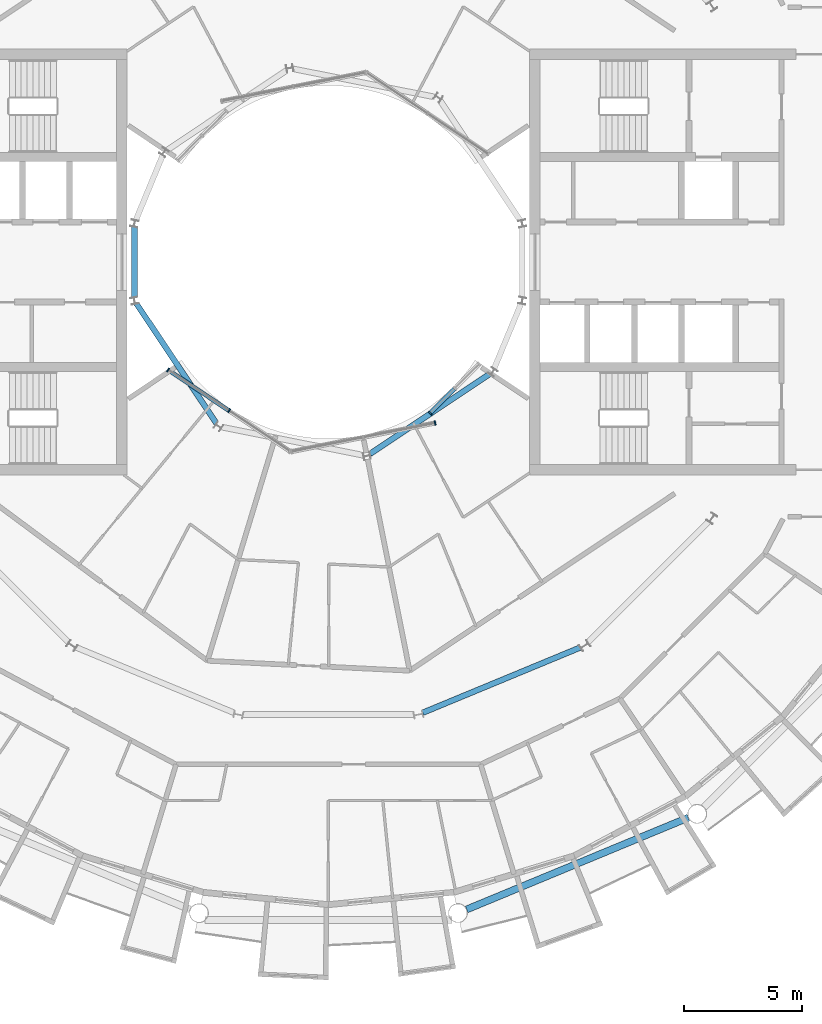
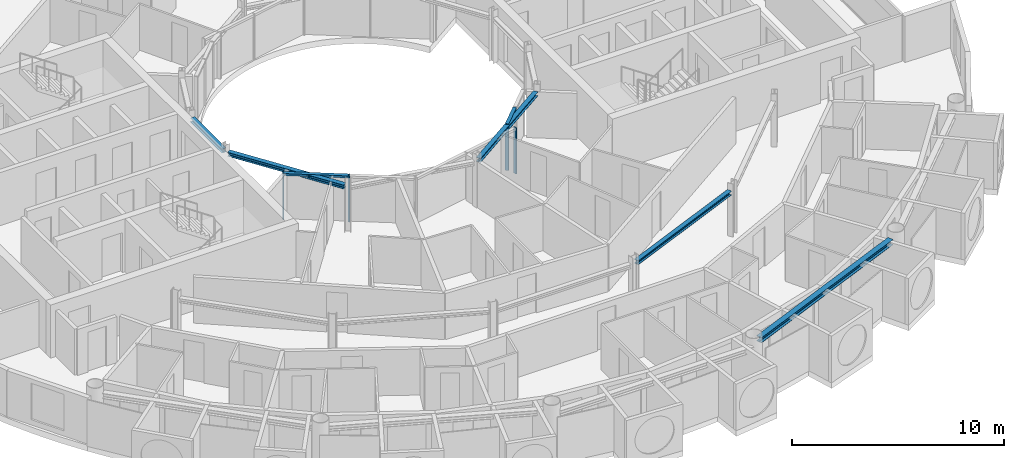
# One storey, part 7 of 28: 6 members, 5 beams, 3 elements without a shape of their own.
"""IFC4 building model written with IfcOpenShell, lengths in metres."""

import ifcopenshell
import ifcopenshell.guid

model = None  # the IFC model being written
_history = None  # IfcOwnerHistory: only IFC2X3 demands one
_inside = {}  # id of a spatial element -> (the spatial element, [elements in it])
_under = {}  # id of a project, library or spatial element -> (it, [spatial elements below it])
_declared = {}  # id of a project -> (the project, [libraries it declares])
_typed = {}  # id of a type object -> (the type object, [elements of that type])
_made_of = {}  # id of a material, layer set ... -> (it, [elements and type objects made of it])


def new_model(schema):
    """Start an empty IFC model of exactly this schema.

    Asked for "IFC4X3", IfcOpenShell would pick the latest addendum, in which some entities
    have other attributes; the version numbers below select the first issue.
    IFC2X3 requires an IfcOwnerHistory on every rooted entity: one is made here for all.
    """
    global model, _history
    if schema == "IFC4X3":
        model = ifcopenshell.file(schema_version=(4, 3, 0, 0))
    else:
        model = ifcopenshell.file(schema=schema)
    _inside.clear()
    _under.clear()
    _declared.clear()
    _typed.clear()
    _made_of.clear()
    _history = None
    if model.schema == "IFC2X3":
        org = make("IfcOrganization", Name="unknown")
        user = make(
            "IfcPersonAndOrganization",
            ThePerson=make("IfcPerson", FamilyName="unknown"),
            TheOrganization=org,
        )
        app = make(
            "IfcApplication",
            ApplicationDeveloper=org,
            Version="unknown",
            ApplicationFullName="unknown",
            ApplicationIdentifier="unknown",
        )
        _history = make(
            "IfcOwnerHistory",
            OwningUser=user,
            OwningApplication=app,
            ChangeAction="ADDED",
            CreationDate=0,
        )
    return model


def make(cls, **values):
    """One entity of the class cls with the attributes given. An attribute that is None is left unset."""
    return model.create_entity(
        cls, **{name: value for name, value in values.items() if value is not None}
    )


def rooted(cls, **values):
    """An entity with a GlobalId (a new one), such as an element, a storey or a relation."""
    return make(cls, GlobalId=ifcopenshell.guid.new(), OwnerHistory=_history, **values)


def si_unit(unit_type, name, prefix=None):
    """IfcSIUnit, for example si_unit("LENGTHUNIT", "METRE", prefix="MILLI")."""
    return make("IfcSIUnit", UnitType=unit_type, Prefix=prefix, Name=name)


def assignment(units):
    """IfcUnitAssignment: the units of a project."""
    return None if units is None else make("IfcUnitAssignment", Units=units)


def point(xyz):
    """IfcCartesianPoint."""
    return None if xyz is None else make("IfcCartesianPoint", Coordinates=xyz)


def direction(xyz):
    """IfcDirection."""
    return None if xyz is None else make("IfcDirection", DirectionRatios=xyz)


def frame(location, z_axis=None, x_axis=None):
    """IfcAxis2Placement3D, a coordinate frame: its origin and axes. An axis left out is left unset."""
    return make(
        "IfcAxis2Placement3D",
        Location=point(location),
        Axis=direction(z_axis),
        RefDirection=direction(x_axis),
    )


def frame_2d(location, x_axis=None):
    """IfcAxis2Placement2D, a coordinate frame in the plane: its origin and x axis."""
    return make(
        "IfcAxis2Placement2D", Location=point(location), RefDirection=direction(x_axis)
    )


def origin():
    """The frame at (0, 0, 0) with its axes left unset."""
    return frame((0.0, 0.0, 0.0))


def origin_2d():
    """The frame at (0, 0) in the plane with its x axis left unset."""
    return frame_2d((0.0, 0.0))


def place(relative_to, where):
    """IfcLocalPlacement: puts the frame where relative to a parent placement (None: the world)."""
    return make(
        "IfcLocalPlacement", PlacementRelTo=relative_to, RelativePlacement=where
    )


def context(
    kind, dimensions, precision=None, world=None, true_north=None, identifier=None
):
    """IfcGeometricRepresentationContext, for example the 3D "Model" context."""
    return make(
        "IfcGeometricRepresentationContext",
        ContextIdentifier=identifier,
        ContextType=kind,
        CoordinateSpaceDimension=dimensions,
        Precision=precision,
        WorldCoordinateSystem=world,
        TrueNorth=true_north,
    )


def subcontext(parent, identifier, kind, view, scale=None):
    """IfcGeometricRepresentationSubContext, for example "Body" below "Model"."""
    return make(
        "IfcGeometricRepresentationSubContext",
        ContextIdentifier=identifier,
        ContextType=kind,
        ParentContext=parent,
        TargetScale=scale,
        TargetView=view,
    )


def project(units=None, contexts=None):
    """IfcProject with its units and contexts."""
    return rooted(
        "IfcProject",
        Name="project",
        RepresentationContexts=contexts,
        UnitsInContext=assignment(units),
    )


def spatial(cls, under=None, at=None, **own):
    """A site, building, storey or space (cls), placed at a placement, below another one or the project."""
    s = rooted(cls, ObjectPlacement=at, **own)
    if under is not None:
        _under.setdefault(under.id(), (under, []))[1].append(s)
    return s


def profile(cls, at=None, kind="AREA", **sizes):
    """A parametric profile (cls). Its sizes go by their IFC names, for example OverallWidth=200.0."""
    return make(cls, ProfileType=kind, Position=at, **sizes)


def rectangle(**sizes):
    """IfcRectangleProfileDef."""
    return profile("IfcRectangleProfileDef", **sizes)


def i_section(**sizes):
    """IfcIShapeProfileDef."""
    return profile("IfcIShapeProfileDef", **sizes)


def extrude(swept, where, along, depth):
    """IfcExtrudedAreaSolid: the profile swept, set in the frame where, extruded along a direction by depth."""
    return make(
        "IfcExtrudedAreaSolid",
        SweptArea=swept,
        Position=where,
        ExtrudedDirection=direction(along),
        Depth=depth,
    )


def shape(context_of_items, identifier, shape_type, items):
    """IfcShapeRepresentation: the items that make up one representation, for example the "Body"."""
    return make(
        "IfcShapeRepresentation",
        ContextOfItems=context_of_items,
        RepresentationIdentifier=identifier,
        RepresentationType=shape_type,
        Items=items,
    )


def material(Name=None, Category=None):
    """IfcMaterial."""
    return make("IfcMaterial", Name=Name, Category=Category)


def layer(
    of_material, thickness, ventilated=None, Name=None, Category=None, Priority=None
):
    """IfcMaterialLayer: one layer of a wall or slab, of a material (None: an air gap)."""
    return make(
        "IfcMaterialLayer",
        Material=of_material,
        LayerThickness=thickness,
        IsVentilated=ventilated,
        Name=Name,
        Category=Category,
        Priority=Priority,
    )


def layer_set(layers, Name=None):
    """IfcMaterialLayerSet."""
    return make("IfcMaterialLayerSet", MaterialLayers=layers, LayerSetName=Name)


def material_profile(
    of_material, cross_section, Name=None, Category=None, Priority=None
):
    """IfcMaterialProfile: a cross section and its material."""
    return make(
        "IfcMaterialProfile",
        Name=Name,
        Material=of_material,
        Profile=cross_section,
        Priority=Priority,
        Category=Category,
    )


def profile_set(profiles, Name=None, composite=None):
    """IfcMaterialProfileSet."""
    return make(
        "IfcMaterialProfileSet",
        Name=Name,
        MaterialProfiles=profiles,
        CompositeProfile=composite,
    )


def made_of(thing, what):
    """Note that an element or type object is made of a material, layer set ...; save() writes the relation."""
    if what is not None:
        _made_of.setdefault(what.id(), (what, []))[1].append(thing)
    return thing


def type_object(cls, material=None, **own):
    """A type object (cls), such as IfcWallType, which elements share."""
    return made_of(rooted(cls, **own), material)


def element(
    cls,
    number,
    at=None,
    inside=None,
    cuts=None,
    type_object=None,
    material=None,
    context=None,
    identifier="Body",
    shape_type=None,
    held_by="IfcProductDefinitionShape",
    body=None,
    shapes=None,
    **own,
):
    """One element of the class cls, such as IfcWall. Its Tag is "e" and its number.

    at: its placement. inside: the storey or other place that contains it. cuts: it is an
    opening in that element (IfcRelVoidsElement). A single representation is given by context,
    identifier, shape_type and body (its items); several are given by shapes. held_by: the class
    of the entity that holds the representations. save() writes the other relations.
    """
    e = rooted(cls, Tag="e%d" % number, ObjectPlacement=at, **own)
    if body is not None:
        shapes = [shape(context, identifier, shape_type, body)]
    if shapes is not None:
        e.Representation = make(held_by, Representations=shapes)
    if inside is not None:
        _inside.setdefault(inside.id(), (inside, []))[1].append(e)
    if cuts is not None:
        rooted(
            "IfcRelVoidsElement", RelatingBuildingElement=cuts, RelatedOpeningElement=e
        )
    if type_object is not None:
        _typed.setdefault(type_object.id(), (type_object, []))[1].append(e)
    return made_of(e, material)


def aggregate(whole, parts):
    """IfcRelAggregates: a whole, such as a stair, and the parts it consists of."""
    return rooted("IfcRelAggregates", RelatingObject=whole, RelatedObjects=parts)


def save(model, path):
    """Write the relations noted so far, then the file.

    IfcRelAggregates (storeys below a building ...), IfcRelContainedInSpatialStructure (elements
    in a storey), IfcRelDefinesByType, IfcRelAssociatesMaterial and IfcRelDeclares: one each for
    every whole, place, type object, material and project.
    """
    for whole, parts in _under.values():
        aggregate(whole, parts)
    for where, things in _inside.values():
        rooted(
            "IfcRelContainedInSpatialStructure",
            RelatedElements=things,
            RelatingStructure=where,
        )
    for kind, things in _typed.values():
        rooted("IfcRelDefinesByType", RelatedObjects=things, RelatingType=kind)
    for what, things in _made_of.values():
        rooted("IfcRelAssociatesMaterial", RelatedObjects=things, RelatingMaterial=what)
    for by, libraries in _declared.values():
        rooted("IfcRelDeclares", RelatingContext=by, RelatedDefinitions=libraries)
    model.write(path)


model = new_model("IFC4")

# Units and contexts
model_context = context("Model", 3, precision=1e-05, world=origin(), true_north=direction((0.0, 1.0)))
body_context = subcontext(model_context, "Body", "Model", "MODEL_VIEW")
ifc_project = project(units=[si_unit("LENGTHUNIT", "METRE"), si_unit("AREAUNIT", "SQUARE_METRE"), si_unit("VOLUMEUNIT", "CUBIC_METRE"), si_unit("PLANEANGLEUNIT", "RADIAN"), si_unit("MASSUNIT", "GRAM", prefix="KILO")], contexts=[model_context])

# Site, building, storey
site_placement = place(None, origin())
site = spatial("IfcSite", under=ifc_project, at=site_placement, CompositionType="ELEMENT")
building_placement = place(site_placement, origin())
building = spatial("IfcBuilding", under=site, at=building_placement, Name="Maasbend Ring Residences", CompositionType="ELEMENT")
storey_placement = place(building_placement, frame((0.0, 0.0, 218.800048828125)))
storey = spatial("IfcBuildingStorey", under=building, at=storey_placement, Name="L63", CompositionType="ELEMENT", Elevation=218.800048828125)

# Curtain wall, members
ifc_material_1 = material(Name="Aluminium and clear glass", Category="aluminium")
ifc_layer = layer(ifc_material_1, 0.179931640625)
ifc_layer_set = layer_set([ifc_layer], Name="CW-W")
curtain_wall_type = type_object("IfcCurtainWallType", Name="CW-W", PredefinedType="NOTDEFINED", material=ifc_layer_set)
curtain_wall_1_placement = place(storey_placement, origin())
curtain_wall_1 = element("IfcCurtainWall", 1, at=curtain_wall_1_placement, inside=storey, type_object=curtain_wall_type, Name="Well curtain wall S1", PredefinedType="NOTDEFINED")
ifc_material_2 = material(Name="Aluminium 6063-T6", Category="aluminium")
ifc_material_profile_1 = material_profile(ifc_material_2, rectangle(XDim=0.179931640625, YDim=0.06005859375, at=origin_2d()), Name="AL 180x60")
ifc_profile_set_1 = profile_set([ifc_material_profile_1], Name="Aluminium 6063-T6")
member_type_1 = type_object("IfcMemberType", Name="CWM-W", PredefinedType="MULLION", material=ifc_profile_set_1)
member_1_placement = place(storey_placement, frame((-6.805908203125, -4.580810546875, 0.0), z_axis=(0.0, 0.0, 1.0), x_axis=(0.55557023302, 0.831469612303, 0.0)))
member_1 = element("IfcMember", 2, at=member_1_placement, type_object=member_type_1, Name="Mullion well face", PredefinedType="MULLION", context=body_context, shape_type="SweptSolid", body=[
    extrude(rectangle(XDim=0.179931640625, YDim=0.06005859375, at=origin_2d()), origin(), (0.0, 0.0, 1.0), 2.64990234375),
])
member_2_placement = place(storey_placement, frame((-4.216796875, -6.310791015625, 0.0), z_axis=(0.0, 0.0, 1.0), x_axis=(0.55557023302, 0.831469612303, 0.0)))
member_2 = element("IfcMember", 3, at=member_2_placement, type_object=member_type_1, Name="Mullion well face", PredefinedType="MULLION", context=body_context, shape_type="SweptSolid", body=[
    extrude(rectangle(XDim=0.179931640625, YDim=0.06005859375, at=origin_2d()), origin(), (0.0, 0.0, 1.0), 2.64990234375),
])

# Curtain wall, member
curtain_wall_2_placement = place(storey_placement, origin())
curtain_wall_2 = element("IfcCurtainWall", 4, at=curtain_wall_2_placement, inside=storey, type_object=curtain_wall_type, Name="Well curtain wall S2", PredefinedType="NOTDEFINED")
member_3_placement = place(storey_placement, frame((4.53466796875, -6.836669921875, 0.0), z_axis=(0.0, 0.0, 1.0), x_axis=(-0.195090322016, 0.980785280403, 0.0)))
member_3 = element("IfcMember", 5, at=member_3_placement, type_object=member_type_1, Name="Mullion well face", PredefinedType="MULLION", context=body_context, shape_type="SweptSolid", body=[
    extrude(rectangle(XDim=0.179931640625, YDim=0.06005859375, at=origin_2d()), origin(), (0.0, 0.0, 1.0), 2.64990234375),
])
aggregate(curtain_wall_2, [member_3])

curtain_wall_3_placement = place(storey_placement, origin())
curtain_wall_3 = element("IfcCurtainWall", 6, at=curtain_wall_3_placement, inside=storey, type_object=curtain_wall_type, Name="Well curtain wall S3", PredefinedType="NOTDEFINED")
member_4_placement = place(storey_placement, frame((4.320556640625, -6.413330078125, 0.0), z_axis=(0.0, 0.0, 1.0), x_axis=(-0.707106781187, 0.707106781187, 0.0)))
member_4 = element("IfcMember", 7, at=member_4_placement, type_object=member_type_1, Name="Mullion well face", PredefinedType="MULLION", context=body_context, shape_type="SweptSolid", body=[
    extrude(rectangle(XDim=0.179931640625, YDim=0.06005859375, at=origin_2d()), origin(), (0.0, 0.0, 1.0), 2.64990234375),
])

# Member
ifc_material_3 = material(Name="Aluminium 6063-T6", Category="aluminium")
ifc_material_profile_2 = material_profile(ifc_material_3, rectangle(XDim=0.179931640625, YDim=0.1201171875, at=origin_2d()), Name="AL 180x120")
ifc_profile_set_2 = profile_set([ifc_material_profile_2], Name="Aluminium 6063-T6")
member_type_2 = type_object("IfcMemberType", Name="CWT-W", PredefinedType="USERDEFINED", material=ifc_profile_set_2)
member_5_placement = place(storey_placement, frame((-6.781005859375, -4.59765625, 2.58984375), z_axis=(0.831496422459, -0.555530106689, 0.0), x_axis=(0.555530106689, 0.831496422459, 0.0)))
member_5 = element("IfcMember", 8, at=member_5_placement, type_object=member_type_2, Name="Transom well face", ObjectType="TRANSOM", PredefinedType="USERDEFINED", context=body_context, shape_type="SweptSolid", body=[
    extrude(rectangle(XDim=0.179931640625, YDim=0.1201171875, at=origin_2d()), origin(), (0.0, 0.0, 1.0), 3.053955078125),
])

aggregate(curtain_wall_1, [member_1, member_2, member_5])

member_6_placement = place(storey_placement, frame((4.341796875, -6.39208984375, 2.58984375), z_axis=(0.707106781187, 0.707106781187, 0.0), x_axis=(-0.707106781187, 0.707106781187, 0.0)))
member_6 = element("IfcMember", 9, at=member_6_placement, type_object=member_type_2, Name="Transom well face", ObjectType="TRANSOM", PredefinedType="USERDEFINED", context=body_context, shape_type="SweptSolid", body=[
    extrude(rectangle(XDim=0.179931640625, YDim=0.1201171875, at=origin_2d()), origin(), (0.0, 0.0, 1.0), 1.419677734375),
])

aggregate(curtain_wall_3, [member_4, member_6])

# Beams
ifc_material_4 = material(Name="Steel S355J2", Category="steel")
ifc_material_profile_3 = material_profile(ifc_material_4, i_section(OverallWidth=0.239990234375, OverallDepth=0.22998046875, WebThickness=0.007568359375, FlangeThickness=0.011962890625, FilletRadius=0.02099609375, at=origin_2d()), Name="HEA 240")
ifc_profile_set_3 = profile_set([ifc_material_profile_3], Name="Steel S355J2")
beam_type_1 = type_object("IfcBeamType", Name="Corridor ring beam HEA 240", PredefinedType="BEAM", material=ifc_profile_set_3)
beam_1_placement = place(storey_placement, frame((4.01220703125, -19.1455078125, 2.534912109375), z_axis=(0.923865162022, 0.382718123952, 0.0), x_axis=(-0.382718123952, 0.923865162022, 0.0)))
element("IfcBeam", 10, at=beam_1_placement, inside=storey, type_object=beam_type_1, Name="Corridor ring beam", PredefinedType="BEAM", context=body_context, shape_type="SweptSolid", body=[
    extrude(i_section(OverallWidth=0.239990234375, OverallDepth=0.22998046875, WebThickness=0.007568359375, FlangeThickness=0.011962890625, FilletRadius=0.02099609375, at=origin_2d()), origin(), (0.0, 0.0, 1.0), 7.23974609375),
])
ifc_material_5 = material(Name="Steel S355J2", Category="steel")
ifc_material_profile_4 = material_profile(ifc_material_5, i_section(OverallWidth=0.300048828125, OverallDepth=0.300048828125, WebThickness=0.010986328125, FlangeThickness=0.01904296875, FilletRadius=0.027099609375, at=origin_2d()), Name="HEB 300")
ifc_profile_set_4 = profile_set([ifc_material_profile_4], Name="Steel S355J2")
beam_type_2 = type_object("IfcBeamType", Name="Spandrel ring beam HEB 300", PredefinedType="SPANDREL", material=ifc_profile_set_4)
beam_2_placement = place(storey_placement, frame((5.877197265625, -27.50244140625, 2.5), z_axis=(0.923883676188, 0.382673428492, 0.0), x_axis=(-0.382673428492, 0.923883676188, 0.0)))
element("IfcBeam", 11, at=beam_2_placement, inside=storey, type_object=beam_type_2, Name="Spandrel ring beam", PredefinedType="SPANDREL", context=body_context, shape_type="SweptSolid", body=[
    extrude(i_section(OverallWidth=0.300048828125, OverallDepth=0.300048828125, WebThickness=0.010986328125, FlangeThickness=0.01904296875, FilletRadius=0.027099609375, at=origin_2d()), origin(), (0.0, 0.0, 1.0), 10.18994140625),
])
ifc_material_6 = material(Name="Steel S355J2", Category="steel")
ifc_material_profile_5 = material_profile(ifc_material_6, i_section(OverallWidth=0.239990234375, OverallDepth=0.22998046875, WebThickness=0.007568359375, FlangeThickness=0.011962890625, FilletRadius=0.02099609375, at=origin_2d()), Name="HEA 240")
ifc_profile_set_5 = profile_set([ifc_material_profile_5], Name="Steel S355J2")
beam_type_3 = type_object("IfcBeamType", Name="Well edge beam HEA 240", PredefinedType="BEAM", material=ifc_profile_set_5)
beam_3_placement = place(storey_placement, frame((-8.238525390625, 1.490966796875, 2.534912109375), z_axis=(0.0, -1.0, 0.0), x_axis=(1.0, 0.0, 0.0)))
element("IfcBeam", 12, at=beam_3_placement, inside=storey, type_object=beam_type_3, Name="Well edge beam", PredefinedType="BEAM", context=body_context, shape_type="SweptSolid", body=[
    extrude(i_section(OverallWidth=0.239990234375, OverallDepth=0.22998046875, WebThickness=0.007568359375, FlangeThickness=0.011962890625, FilletRadius=0.02099609375, at=origin_2d()), origin(), (0.0, 0.0, 1.0), 2.98193359375),
])
for number, where, z_axis, x_axis, name in (
    (13, (-8.1513671875, -1.769287109375, 2.534912109375), (0.555584356119, -0.831460175376, 0.0), (0.831460175376, 0.555584356119, 0.0), "Well edge beam"),
    (14, (1.769287109375, -8.1513671875, 2.534912109375), (0.831460175376, 0.555584356119, 0.0), (-0.555584356119, 0.831460175376, 0.0), "Well edge beam"),
):
    element("IfcBeam", number, at=place(storey_placement, frame(where, z_axis=z_axis, x_axis=x_axis)), inside=storey, type_object=beam_type_3, Name=name, PredefinedType="BEAM", context=body_context, shape_type="SweptSolid", body=[
        extrude(i_section(OverallWidth=0.239990234375, OverallDepth=0.22998046875, WebThickness=0.007568359375, FlangeThickness=0.011962890625, FilletRadius=0.02099609375, at=origin_2d()), origin(), (0.0, 0.0, 1.0), 6.115234375),
    ])

save(model, "model.ifc")
